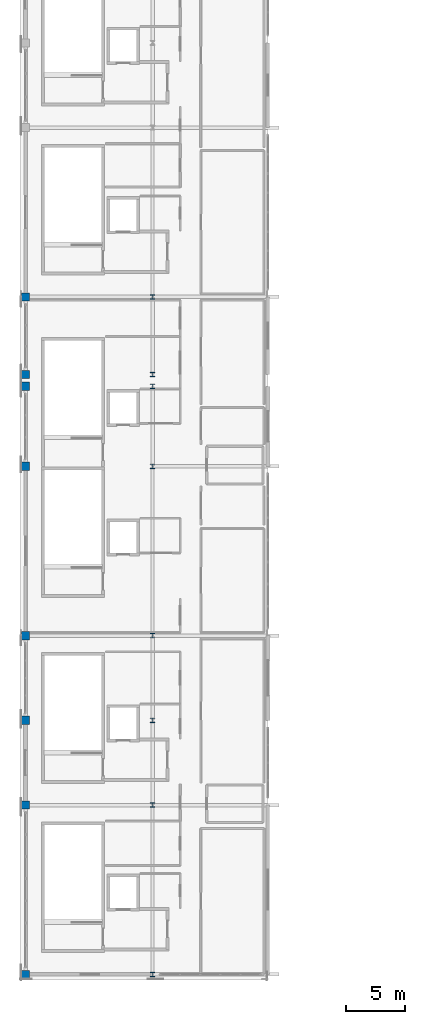
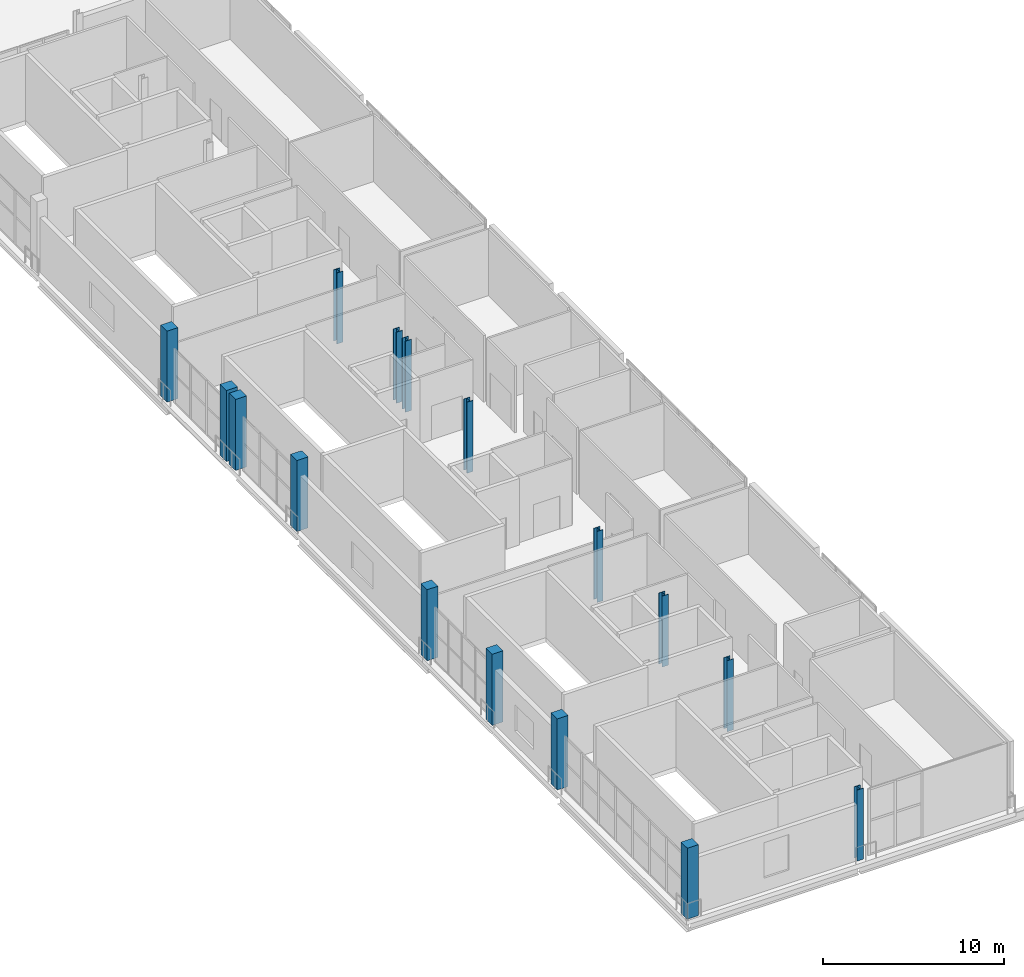
# One storey, part 1 of 19: 16 columns.
"""IFC4 building model written with IfcOpenShell, lengths in metres."""

from ifc_helpers import new_model, si_unit, direction, frame, origin, origin_2d, place, context, subcontext, project, spatial, rectangle, i_section, extrude, material, material_profile, profile_set, type_object, element, save


model = new_model("IFC4")

# Units and contexts
model_context = context("Model", 3, precision=1e-05, world=origin(), true_north=direction((0.0, 1.0)))
body_context = subcontext(model_context, "Body", "Model", "MODEL_VIEW")
ifc_project = project(units=[si_unit("LENGTHUNIT", "METRE"), si_unit("AREAUNIT", "SQUARE_METRE"), si_unit("VOLUMEUNIT", "CUBIC_METRE"), si_unit("PLANEANGLEUNIT", "RADIAN"), si_unit("MASSUNIT", "GRAM", prefix="KILO")], contexts=[model_context])

# Site, building, storey
site_placement = place(None, origin())
site = spatial("IfcSite", under=ifc_project, at=site_placement, CompositionType="ELEMENT")
building_placement = place(site_placement, origin())
building = spatial("IfcBuilding", under=site, at=building_placement, Name="Koshinbarg Plaza Stadium", CompositionType="ELEMENT")
storey_placement = place(building_placement, frame((0.0, 0.0, 29.39990234375)))
storey = spatial("IfcBuildingStorey", under=building, at=storey_placement, Name="L06", CompositionType="ELEMENT", Elevation=29.39990234375)

# Columns
ifc_material_1 = material(Name="Concrete C40/50", Category="concrete")
ifc_material_profile_1 = material_profile(ifc_material_1, rectangle(XDim=0.699951171875, YDim=0.699951171875, at=origin_2d()), Name="RC 700x700")
ifc_profile_set_1 = profile_set([ifc_material_profile_1], Name="Concrete C40/50")
column_type_1 = type_object("IfcColumnType", Name="COL-RC-06", PredefinedType="COLUMN", material=ifc_profile_set_1)
for number, where, z_axis, x_axis, name in (
    (1, (24.60009765625, 25.5, 0.0), (0.0, 0.0, 1.0), (1.0, 0.0, 0.0), "L06 column 5/E"),
    (2, (24.60009765625, 39.89990234375, 0.0), (0.0, 0.0, 1.0), (1.0, 0.0, 0.0), "L06 column 5/F"),
    (3, (24.60009765625, 47.10009765625, 0.0), (0.0, 0.0, 1.0), (1.0, 0.0, 0.0), "L06 column 5/G"),
    (4, (24.60009765625, 54.300048828125, 0.0), (0.0, 0.0, 1.0), (1.0, 0.0, 0.0), "L06 column 5/H"),
    (5, (24.60009765625, 68.699951171875, 0.0), (0.0, 0.0, 1.0), (1.0, 0.0, 0.0), "L06 column 5/J"),
    (6, (24.60009765625, 75.5, 0.0), (0.0, 0.0, 1.0), (1.0, 0.0, 0.0), "L06 column 5/K"),
    (7, (24.60009765625, 76.5, 0.0), (0.0, 0.0, 1.0), (1.0, 0.0, 0.0), "L06 column 5/L"),
    (8, (24.60009765625, 83.10009765625, 0.0), (0.0, 0.0, 1.0), (1.0, 0.0, 0.0), "L06 column 5/M"),
):
    element("IfcColumn", number, at=place(storey_placement, frame(where, z_axis=z_axis, x_axis=x_axis)), inside=storey, type_object=column_type_1, Name=name, PredefinedType="COLUMN", context=body_context, shape_type="SweptSolid", body=[
        extrude(rectangle(XDim=0.699951171875, YDim=0.699951171875, at=origin_2d()), origin(), (0.0, 0.0, 1.0), 4.800048828125),
    ])
ifc_material_2 = material(Name="Steel S355", Category="steel")
ifc_material_profile_2 = material_profile(ifc_material_2, i_section(OverallWidth=0.39501953125, OverallDepth=0.3798828125, WebThickness=0.018798828125, FlangeThickness=0.0302734375, at=origin_2d()), Name="HD 400x237")
ifc_profile_set_2 = profile_set([ifc_material_profile_2], Name="Steel S355")
column_type_2 = type_object("IfcColumnType", Name="COL-STL-01", PredefinedType="COLUMN", material=ifc_profile_set_2)
for number, where, z_axis, x_axis, name in (
    (9, (35.39990234375, 25.5, 0.0), (0.0, 0.0, 1.0), (1.0, 0.0, 0.0), "L06 column 6/E"),
    (10, (35.39990234375, 39.89990234375, 0.0), (0.0, 0.0, 1.0), (1.0, 0.0, 0.0), "L06 column 6/F"),
    (11, (35.39990234375, 47.10009765625, 0.0), (0.0, 0.0, 1.0), (1.0, 0.0, 0.0), "L06 column 6/G"),
    (12, (35.39990234375, 54.300048828125, 0.0), (0.0, 0.0, 1.0), (1.0, 0.0, 0.0), "L06 column 6/H"),
    (13, (35.39990234375, 68.699951171875, 0.0), (0.0, 0.0, 1.0), (1.0, 0.0, 0.0), "L06 column 6/J"),
    (14, (35.39990234375, 75.5, 0.0), (0.0, 0.0, 1.0), (1.0, 0.0, 0.0), "L06 column 6/K"),
    (15, (35.39990234375, 76.5, 0.0), (0.0, 0.0, 1.0), (1.0, 0.0, 0.0), "L06 column 6/L"),
    (16, (35.39990234375, 83.10009765625, 0.0), (0.0, 0.0, 1.0), (1.0, 0.0, 0.0), "L06 column 6/M"),
):
    element("IfcColumn", number, at=place(storey_placement, frame(where, z_axis=z_axis, x_axis=x_axis)), inside=storey, type_object=column_type_2, Name=name, PredefinedType="COLUMN", context=body_context, shape_type="SweptSolid", body=[
        extrude(i_section(OverallWidth=0.39501953125, OverallDepth=0.3798828125, WebThickness=0.018798828125, FlangeThickness=0.0302734375, at=origin_2d()), origin(), (0.0, 0.0, 1.0), 4.800048828125),
    ])

save(model, "model.ifc")
